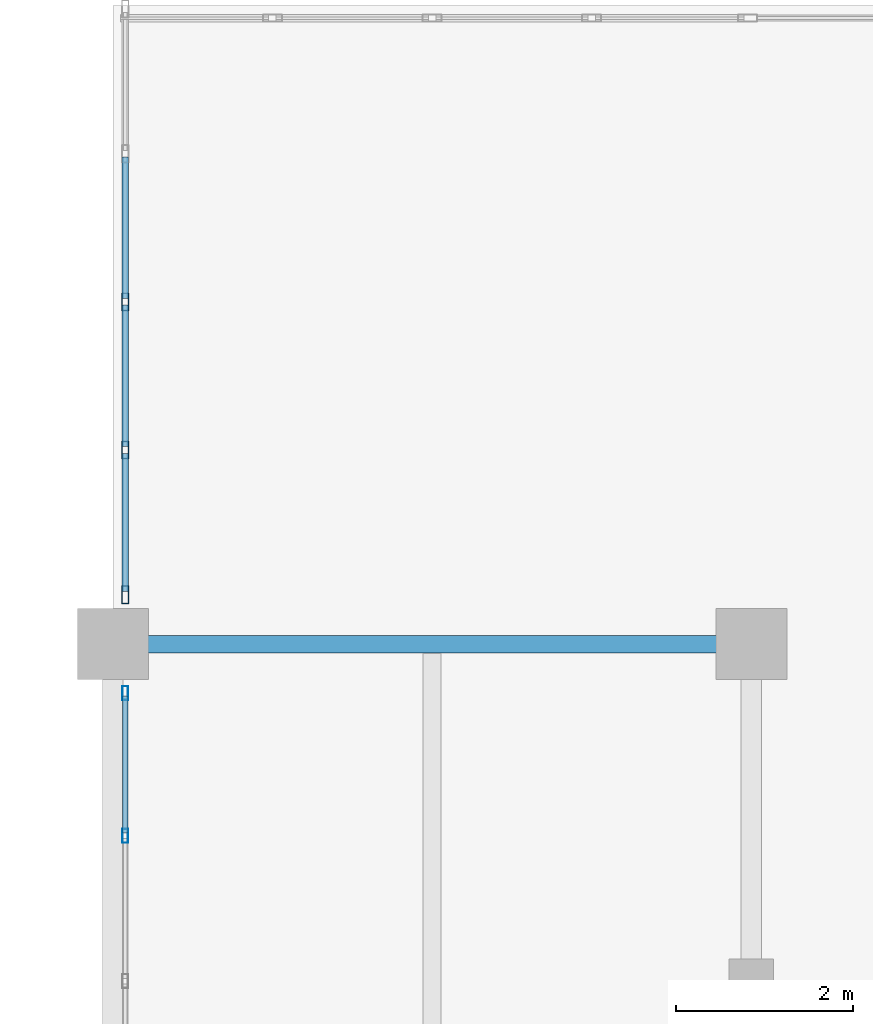
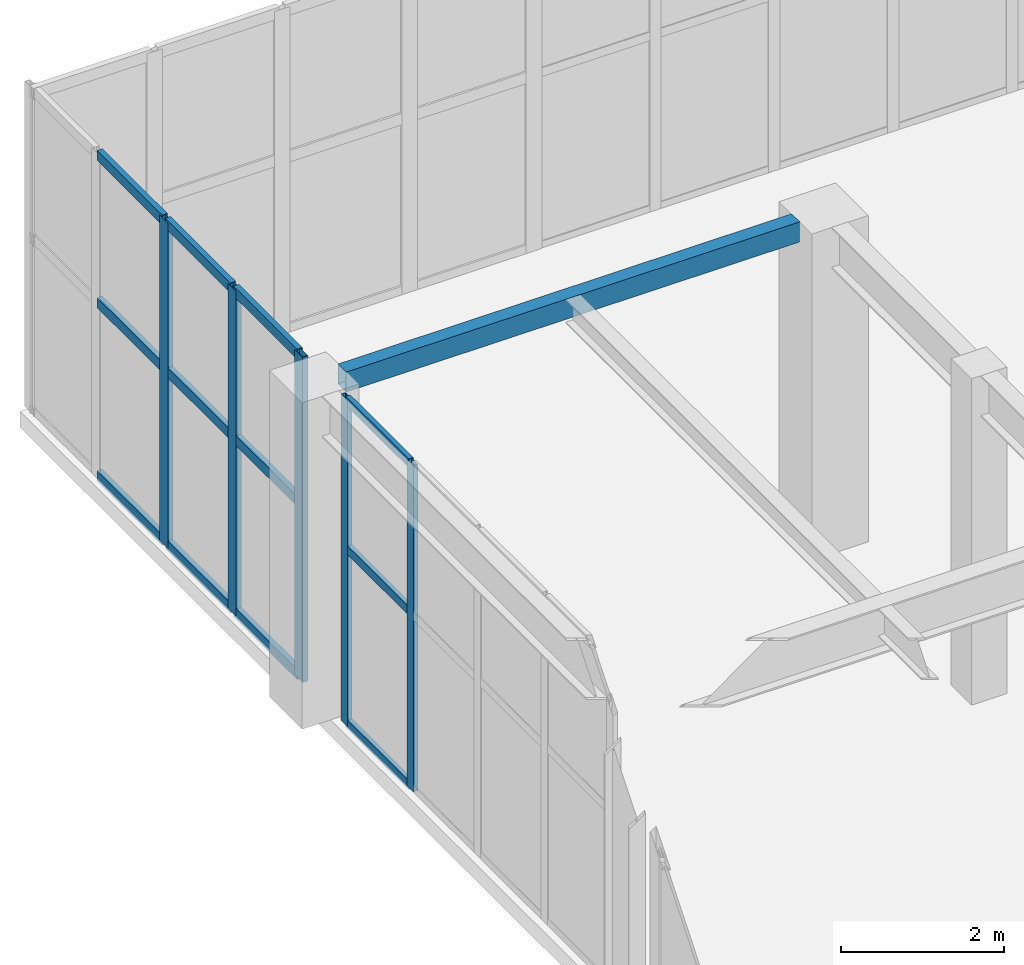
# One storey, part 55 of 128: 17 members, 1 beam, 2 elements without a shape of their own.
"""IFC4 building model written with IfcOpenShell, lengths in metres."""

import ifcopenshell
import ifcopenshell.guid

model = None  # the IFC model being written
_history = None  # IfcOwnerHistory: only IFC2X3 demands one
_inside = {}  # id of a spatial element -> (the spatial element, [elements in it])
_under = {}  # id of a project, library or spatial element -> (it, [spatial elements below it])
_declared = {}  # id of a project -> (the project, [libraries it declares])
_typed = {}  # id of a type object -> (the type object, [elements of that type])
_made_of = {}  # id of a material, layer set ... -> (it, [elements and type objects made of it])


def new_model(schema):
    """Start an empty IFC model of exactly this schema.

    Asked for "IFC4X3", IfcOpenShell would pick the latest addendum, in which some entities
    have other attributes; the version numbers below select the first issue.
    IFC2X3 requires an IfcOwnerHistory on every rooted entity: one is made here for all.
    """
    global model, _history
    if schema == "IFC4X3":
        model = ifcopenshell.file(schema_version=(4, 3, 0, 0))
    else:
        model = ifcopenshell.file(schema=schema)
    _inside.clear()
    _under.clear()
    _declared.clear()
    _typed.clear()
    _made_of.clear()
    _history = None
    if model.schema == "IFC2X3":
        org = make("IfcOrganization", Name="unknown")
        user = make(
            "IfcPersonAndOrganization",
            ThePerson=make("IfcPerson", FamilyName="unknown"),
            TheOrganization=org,
        )
        app = make(
            "IfcApplication",
            ApplicationDeveloper=org,
            Version="unknown",
            ApplicationFullName="unknown",
            ApplicationIdentifier="unknown",
        )
        _history = make(
            "IfcOwnerHistory",
            OwningUser=user,
            OwningApplication=app,
            ChangeAction="ADDED",
            CreationDate=0,
        )
    return model


def make(cls, **values):
    """One entity of the class cls with the attributes given. An attribute that is None is left unset."""
    return model.create_entity(
        cls, **{name: value for name, value in values.items() if value is not None}
    )


def rooted(cls, **values):
    """An entity with a GlobalId (a new one), such as an element, a storey or a relation."""
    return make(cls, GlobalId=ifcopenshell.guid.new(), OwnerHistory=_history, **values)


def si_unit(unit_type, name, prefix=None):
    """IfcSIUnit, for example si_unit("LENGTHUNIT", "METRE", prefix="MILLI")."""
    return make("IfcSIUnit", UnitType=unit_type, Prefix=prefix, Name=name)


def assignment(units):
    """IfcUnitAssignment: the units of a project."""
    return None if units is None else make("IfcUnitAssignment", Units=units)


def point(xyz):
    """IfcCartesianPoint."""
    return None if xyz is None else make("IfcCartesianPoint", Coordinates=xyz)


def direction(xyz):
    """IfcDirection."""
    return None if xyz is None else make("IfcDirection", DirectionRatios=xyz)


def frame(location, z_axis=None, x_axis=None):
    """IfcAxis2Placement3D, a coordinate frame: its origin and axes. An axis left out is left unset."""
    return make(
        "IfcAxis2Placement3D",
        Location=point(location),
        Axis=direction(z_axis),
        RefDirection=direction(x_axis),
    )


def frame_2d(location, x_axis=None):
    """IfcAxis2Placement2D, a coordinate frame in the plane: its origin and x axis."""
    return make(
        "IfcAxis2Placement2D", Location=point(location), RefDirection=direction(x_axis)
    )


def origin():
    """The frame at (0, 0, 0) with its axes left unset."""
    return frame((0.0, 0.0, 0.0))


def origin_2d():
    """The frame at (0, 0) in the plane with its x axis left unset."""
    return frame_2d((0.0, 0.0))


def place(relative_to, where):
    """IfcLocalPlacement: puts the frame where relative to a parent placement (None: the world)."""
    return make(
        "IfcLocalPlacement", PlacementRelTo=relative_to, RelativePlacement=where
    )


def context(
    kind, dimensions, precision=None, world=None, true_north=None, identifier=None
):
    """IfcGeometricRepresentationContext, for example the 3D "Model" context."""
    return make(
        "IfcGeometricRepresentationContext",
        ContextIdentifier=identifier,
        ContextType=kind,
        CoordinateSpaceDimension=dimensions,
        Precision=precision,
        WorldCoordinateSystem=world,
        TrueNorth=true_north,
    )


def subcontext(parent, identifier, kind, view, scale=None):
    """IfcGeometricRepresentationSubContext, for example "Body" below "Model"."""
    return make(
        "IfcGeometricRepresentationSubContext",
        ContextIdentifier=identifier,
        ContextType=kind,
        ParentContext=parent,
        TargetScale=scale,
        TargetView=view,
    )


def project(units=None, contexts=None):
    """IfcProject with its units and contexts."""
    return rooted(
        "IfcProject",
        Name="project",
        RepresentationContexts=contexts,
        UnitsInContext=assignment(units),
    )


def spatial(cls, under=None, at=None, **own):
    """A site, building, storey or space (cls), placed at a placement, below another one or the project."""
    s = rooted(cls, ObjectPlacement=at, **own)
    if under is not None:
        _under.setdefault(under.id(), (under, []))[1].append(s)
    return s


def profile(cls, at=None, kind="AREA", **sizes):
    """A parametric profile (cls). Its sizes go by their IFC names, for example OverallWidth=200.0."""
    return make(cls, ProfileType=kind, Position=at, **sizes)


def hollow_rectangle(**sizes):
    """IfcRectangleHollowProfileDef."""
    return profile("IfcRectangleHollowProfileDef", **sizes)


def extrude(swept, where, along, depth):
    """IfcExtrudedAreaSolid: the profile swept, set in the frame where, extruded along a direction by depth."""
    return make(
        "IfcExtrudedAreaSolid",
        SweptArea=swept,
        Position=where,
        ExtrudedDirection=direction(along),
        Depth=depth,
    )


def shape(context_of_items, identifier, shape_type, items):
    """IfcShapeRepresentation: the items that make up one representation, for example the "Body"."""
    return make(
        "IfcShapeRepresentation",
        ContextOfItems=context_of_items,
        RepresentationIdentifier=identifier,
        RepresentationType=shape_type,
        Items=items,
    )


def material(Name=None, Category=None):
    """IfcMaterial."""
    return make("IfcMaterial", Name=Name, Category=Category)


def layer(
    of_material, thickness, ventilated=None, Name=None, Category=None, Priority=None
):
    """IfcMaterialLayer: one layer of a wall or slab, of a material (None: an air gap)."""
    return make(
        "IfcMaterialLayer",
        Material=of_material,
        LayerThickness=thickness,
        IsVentilated=ventilated,
        Name=Name,
        Category=Category,
        Priority=Priority,
    )


def layer_set(layers, Name=None):
    """IfcMaterialLayerSet."""
    return make("IfcMaterialLayerSet", MaterialLayers=layers, LayerSetName=Name)


def material_profile(
    of_material, cross_section, Name=None, Category=None, Priority=None
):
    """IfcMaterialProfile: a cross section and its material."""
    return make(
        "IfcMaterialProfile",
        Name=Name,
        Material=of_material,
        Profile=cross_section,
        Priority=Priority,
        Category=Category,
    )


def profile_set(profiles, Name=None, composite=None):
    """IfcMaterialProfileSet."""
    return make(
        "IfcMaterialProfileSet",
        Name=Name,
        MaterialProfiles=profiles,
        CompositeProfile=composite,
    )


def made_of(thing, what):
    """Note that an element or type object is made of a material, layer set ...; save() writes the relation."""
    if what is not None:
        _made_of.setdefault(what.id(), (what, []))[1].append(thing)
    return thing


def type_object(cls, material=None, **own):
    """A type object (cls), such as IfcWallType, which elements share."""
    return made_of(rooted(cls, **own), material)


def element(
    cls,
    number,
    at=None,
    inside=None,
    cuts=None,
    type_object=None,
    material=None,
    context=None,
    identifier="Body",
    shape_type=None,
    held_by="IfcProductDefinitionShape",
    body=None,
    shapes=None,
    **own,
):
    """One element of the class cls, such as IfcWall. Its Tag is "e" and its number.

    at: its placement. inside: the storey or other place that contains it. cuts: it is an
    opening in that element (IfcRelVoidsElement). A single representation is given by context,
    identifier, shape_type and body (its items); several are given by shapes. held_by: the class
    of the entity that holds the representations. save() writes the other relations.
    """
    e = rooted(cls, Tag="e%d" % number, ObjectPlacement=at, **own)
    if body is not None:
        shapes = [shape(context, identifier, shape_type, body)]
    if shapes is not None:
        e.Representation = make(held_by, Representations=shapes)
    if inside is not None:
        _inside.setdefault(inside.id(), (inside, []))[1].append(e)
    if cuts is not None:
        rooted(
            "IfcRelVoidsElement", RelatingBuildingElement=cuts, RelatedOpeningElement=e
        )
    if type_object is not None:
        _typed.setdefault(type_object.id(), (type_object, []))[1].append(e)
    return made_of(e, material)


def aggregate(whole, parts):
    """IfcRelAggregates: a whole, such as a stair, and the parts it consists of."""
    return rooted("IfcRelAggregates", RelatingObject=whole, RelatedObjects=parts)


def save(model, path):
    """Write the relations noted so far, then the file.

    IfcRelAggregates (storeys below a building ...), IfcRelContainedInSpatialStructure (elements
    in a storey), IfcRelDefinesByType, IfcRelAssociatesMaterial and IfcRelDeclares: one each for
    every whole, place, type object, material and project.
    """
    for whole, parts in _under.values():
        aggregate(whole, parts)
    for where, things in _inside.values():
        rooted(
            "IfcRelContainedInSpatialStructure",
            RelatedElements=things,
            RelatingStructure=where,
        )
    for kind, things in _typed.values():
        rooted("IfcRelDefinesByType", RelatedObjects=things, RelatingType=kind)
    for what, things in _made_of.values():
        rooted("IfcRelAssociatesMaterial", RelatedObjects=things, RelatingMaterial=what)
    for by, libraries in _declared.values():
        rooted("IfcRelDeclares", RelatingContext=by, RelatedDefinitions=libraries)
    model.write(path)


model = new_model("IFC4")

# Units and contexts
model_context = context("Model", 3, precision=1e-05, world=origin(), true_north=direction((0.0, 1.0)))
body_context = subcontext(model_context, "Body", "Model", "MODEL_VIEW")
ifc_project = project(units=[si_unit("LENGTHUNIT", "METRE"), si_unit("AREAUNIT", "SQUARE_METRE"), si_unit("VOLUMEUNIT", "CUBIC_METRE"), si_unit("PLANEANGLEUNIT", "RADIAN"), si_unit("MASSUNIT", "GRAM", prefix="KILO")], contexts=[model_context])

# Site, building, storey
site_placement = place(None, origin())
site = spatial("IfcSite", under=ifc_project, at=site_placement, CompositionType="ELEMENT")
building_placement = place(site_placement, origin())
building = spatial("IfcBuilding", under=site, at=building_placement, Name="Xicomal Pleat Aquarium", CompositionType="ELEMENT")
storey_placement = place(building_placement, frame((0.0, 0.0, 5.39990234375)))
storey = spatial("IfcBuildingStorey", under=building, at=storey_placement, Name="L02", CompositionType="ELEMENT", Elevation=5.39990234375)

# Beam
ifc_material_1 = material(Name="Structural steel A500 Gr C", Category="steel")
ifc_material_profile_1 = material_profile(ifc_material_1, hollow_rectangle(XDim=0.199951171875, YDim=0.300048828125, WallThickness=0.011962890625, at=origin_2d()), Name="OR 300x200x12")
ifc_profile_set_1 = profile_set([ifc_material_profile_1], Name="Structural steel A500 Gr C")
beam_type = type_object("IfcBeamType", Name="BM-STL-OR300", PredefinedType="SPANDREL", material=ifc_profile_set_1)
beam_placement = place(storey_placement, frame((3.39501953125, 91.199951171875, 4.72509765625), z_axis=(1.0, 0.0, 0.0), x_axis=(0.0, 1.0, 0.0)))
element("IfcBeam", 1, at=beam_placement, inside=storey, type_object=beam_type, Name="L02 framing beam FGX-L02-01-02-N", PredefinedType="SPANDREL", context=body_context, shape_type="SweptSolid", body=[
    extrude(hollow_rectangle(XDim=0.199951171875, YDim=0.300048828125, WallThickness=0.011962890625, at=origin_2d()), origin(), (0.0, 0.0, 1.0), 6.409912109375),
])

# Curtain wall, members
ifc_material_2 = material(Name="Bronze anodized aluminium 6063-T6", Category="aluminium")
ifc_layer_1 = layer(ifc_material_2, 0.159912109375)
ifc_layer_set_1 = layer_set([ifc_layer_1], Name="Bronze anodized aluminium 6063-T6")
curtain_wall_type_1 = type_object("IfcCurtainWallType", Name="CW-SYS-02", PredefinedType="NOTDEFINED", material=ifc_layer_set_1)
curtain_wall_1_placement = place(storey_placement, origin())
curtain_wall_1 = element("IfcCurtainWall", 2, at=curtain_wall_1_placement, inside=storey, type_object=curtain_wall_type_1, Name="L02 unitised curtain wall CW-L02-126", PredefinedType="NOTDEFINED")
ifc_material_3 = material(Name="Bronze anodized aluminium 6063-T6", Category="aluminium")
ifc_material_profile_2 = material_profile(ifc_material_3, hollow_rectangle(XDim=0.06494140625, YDim=0.159912109375, WallThickness=0.00390625, at=origin_2d()), Name="ALU MULL 65x160")
ifc_profile_set_2 = profile_set([ifc_material_profile_2], Name="Bronze anodized aluminium 6063-T6")
member_type_1 = type_object("IfcMemberType", Name="CWM-65x160", PredefinedType="MULLION", material=ifc_profile_set_2)
member_1_placement = place(storey_placement, frame((3.139892578125, 89.0400390625, 0.0), z_axis=(0.0, 0.0, 1.0), x_axis=(-1.0, 0.0, 0.0)))
member_1 = element("IfcMember", 3, at=member_1_placement, type_object=member_type_1, Name="CW-02 mullion 4", PredefinedType="MULLION", context=body_context, shape_type="SweptSolid", body=[
    extrude(hollow_rectangle(XDim=0.06494140625, YDim=0.159912109375, WallThickness=0.00390625, at=origin_2d()), origin(), (0.0, 0.0, 1.0), 4.875),
])
member_2_placement = place(storey_placement, frame((3.139892578125, 90.6474609375, 0.0), z_axis=(0.0, 0.0, 1.0), x_axis=(-1.0, 0.0, 0.0)))
member_2 = element("IfcMember", 4, at=member_2_placement, type_object=member_type_1, Name="CW-02 mullion 5", PredefinedType="MULLION", context=body_context, shape_type="SweptSolid", body=[
    extrude(hollow_rectangle(XDim=0.06494140625, YDim=0.159912109375, WallThickness=0.00390625, at=origin_2d()), origin(), (0.0, 0.0, 1.0), 4.875),
])

ifc_material_4 = material(Name="Bronze anodized aluminium 6063-T6", Category="aluminium")
ifc_layer_2 = layer(ifc_material_4, 0.159912109375)
ifc_layer_set_2 = layer_set([ifc_layer_2], Name="Bronze anodized aluminium 6063-T6")
curtain_wall_type_2 = type_object("IfcCurtainWallType", Name="CW-SYS-07", PredefinedType="NOTDEFINED", material=ifc_layer_set_2)
curtain_wall_2_placement = place(storey_placement, origin())
curtain_wall_2 = element("IfcCurtainWall", 5, at=curtain_wall_2_placement, inside=storey, type_object=curtain_wall_type_2, Name="L02 unitised curtain wall CW-L02-127", PredefinedType="NOTDEFINED")
ifc_material_5 = material(Name="Bronze anodized aluminium 6063-T6", Category="aluminium")
ifc_material_profile_3 = material_profile(ifc_material_5, hollow_rectangle(XDim=0.074951171875, YDim=0.199951171875, WallThickness=0.00439453125, at=origin_2d()), Name="ALU MULL 75x200")
ifc_profile_set_3 = profile_set([ifc_material_profile_3], Name="Bronze anodized aluminium 6063-T6")
member_type_2 = type_object("IfcMemberType", Name="CWM-75x200", PredefinedType="MULLION", material=ifc_profile_set_3)
member_3_placement = place(storey_placement, frame((3.139892578125, 91.757568359375, 0.0), z_axis=(0.0, 0.0, 1.0), x_axis=(-1.0, 0.0, 0.0)))
member_3 = element("IfcMember", 6, at=member_3_placement, type_object=member_type_2, Name="CW-07 mullion 1", PredefinedType="MULLION", context=body_context, shape_type="SweptSolid", body=[
    extrude(hollow_rectangle(XDim=0.074951171875, YDim=0.199951171875, WallThickness=0.00439453125, at=origin_2d()), origin(), (0.0, 0.0, 1.0), 4.860107421875),
])
member_4_placement = place(storey_placement, frame((3.139892578125, 93.389892578125, 0.0), z_axis=(0.0, 0.0, 1.0), x_axis=(-1.0, 0.0, 0.0)))
member_4 = element("IfcMember", 7, at=member_4_placement, type_object=member_type_2, Name="CW-07 mullion 2", PredefinedType="MULLION", context=body_context, shape_type="SweptSolid", body=[
    extrude(hollow_rectangle(XDim=0.074951171875, YDim=0.199951171875, WallThickness=0.00439453125, at=origin_2d()), origin(), (0.0, 0.0, 1.0), 4.860107421875),
])
member_5_placement = place(storey_placement, frame((3.139892578125, 95.06005859375, 0.0), z_axis=(0.0, 0.0, 1.0), x_axis=(-1.0, 0.0, 0.0)))
member_5 = element("IfcMember", 8, at=member_5_placement, type_object=member_type_2, Name="CW-07 mullion 3", PredefinedType="MULLION", context=body_context, shape_type="SweptSolid", body=[
    extrude(hollow_rectangle(XDim=0.074951171875, YDim=0.199951171875, WallThickness=0.00439453125, at=origin_2d()), origin(), (0.0, 0.0, 1.0), 4.860107421875),
])

# Member
ifc_material_6 = material(Name="Bronze anodized aluminium 6063-T6", Category="aluminium")
ifc_material_profile_4 = material_profile(ifc_material_6, hollow_rectangle(XDim=0.06494140625, YDim=0.1298828125, WallThickness=0.00390625, at=origin_2d()), Name="ALU TRAN 65x130")
ifc_profile_set_4 = profile_set([ifc_material_profile_4], Name="Bronze anodized aluminium 6063-T6")
member_type_3 = type_object("IfcMemberType", Name="CWT-65x130", PredefinedType="USERDEFINED", material=ifc_profile_set_4)
member_6_placement = place(storey_placement, frame((3.139892578125, 89.072509765625, 0.03271484375), z_axis=(0.0, 1.0, 0.0), x_axis=(-1.0, 0.0, 0.0)))
member_6 = element("IfcMember", 9, at=member_6_placement, type_object=member_type_3, Name="CW-02 transom 4.1", ObjectType="TRANSOM", PredefinedType="USERDEFINED", context=body_context, shape_type="SweptSolid", body=[
    extrude(hollow_rectangle(XDim=0.06494140625, YDim=0.1298828125, WallThickness=0.00390625, at=origin_2d()), origin(), (0.0, 0.0, 1.0), 1.54248046875),
])

member_7_placement = place(storey_placement, frame((3.139892578125, 89.072509765625, 2.633056640625), z_axis=(0.0, 1.0, 0.0), x_axis=(-1.0, 0.0, 0.0)))
member_7 = element("IfcMember", 10, at=member_7_placement, type_object=member_type_3, Name="CW-02 transom 4.2", ObjectType="TRANSOM", PredefinedType="USERDEFINED", context=body_context, shape_type="SweptSolid", body=[
    extrude(hollow_rectangle(XDim=0.06494140625, YDim=0.1298828125, WallThickness=0.00390625, at=origin_2d()), origin(), (0.0, 0.0, 1.0), 1.54248046875),
])

member_8_placement = place(storey_placement, frame((3.139892578125, 89.072509765625, 4.842529296875), z_axis=(0.0, 1.0, 0.0), x_axis=(-1.0, 0.0, 0.0)))
member_8 = element("IfcMember", 11, at=member_8_placement, type_object=member_type_3, Name="CW-02 transom 4.3", ObjectType="TRANSOM", PredefinedType="USERDEFINED", context=body_context, shape_type="SweptSolid", body=[
    extrude(hollow_rectangle(XDim=0.06494140625, YDim=0.1298828125, WallThickness=0.00390625, at=origin_2d()), origin(), (0.0, 0.0, 1.0), 1.54248046875),
])

aggregate(curtain_wall_1, [member_1, member_2, member_6, member_7, member_8])

ifc_material_7 = material(Name="Bronze anodized aluminium 6063-T6", Category="aluminium")
ifc_material_profile_5 = material_profile(ifc_material_7, hollow_rectangle(XDim=0.074951171875, YDim=0.14990234375, WallThickness=0.00439453125, at=origin_2d()), Name="ALU TRAN 75x150")
ifc_profile_set_5 = profile_set([ifc_material_profile_5], Name="Bronze anodized aluminium 6063-T6")
member_type_4 = type_object("IfcMemberType", Name="CWT-75x150", PredefinedType="USERDEFINED", material=ifc_profile_set_5)
member_9_placement = place(storey_placement, frame((3.139892578125, 91.794921875, 0.03759765625), z_axis=(0.0, 1.0, 0.0), x_axis=(-1.0, 0.0, 0.0)))
member_9 = element("IfcMember", 12, at=member_9_placement, type_object=member_type_4, Name="CW-07 transom 1.1", ObjectType="TRANSOM", PredefinedType="USERDEFINED", context=body_context, shape_type="SweptSolid", body=[
    extrude(hollow_rectangle(XDim=0.074951171875, YDim=0.14990234375, WallThickness=0.00439453125, at=origin_2d()), origin(), (0.0, 0.0, 1.0), 1.5576171875),
])

member_10_placement = place(storey_placement, frame((3.139892578125, 91.794921875, 2.6240234375), z_axis=(0.0, 1.0, 0.0), x_axis=(-1.0, 0.0, 0.0)))
member_10 = element("IfcMember", 13, at=member_10_placement, type_object=member_type_4, Name="CW-07 transom 1.2", ObjectType="TRANSOM", PredefinedType="USERDEFINED", context=body_context, shape_type="SweptSolid", body=[
    extrude(hollow_rectangle(XDim=0.074951171875, YDim=0.14990234375, WallThickness=0.00439453125, at=origin_2d()), origin(), (0.0, 0.0, 1.0), 1.5576171875),
])

member_11_placement = place(storey_placement, frame((3.139892578125, 91.794921875, 4.822509765625), z_axis=(0.0, 1.0, 0.0), x_axis=(-1.0, 0.0, 0.0)))
member_11 = element("IfcMember", 14, at=member_11_placement, type_object=member_type_4, Name="CW-07 transom 1.3", ObjectType="TRANSOM", PredefinedType="USERDEFINED", context=body_context, shape_type="SweptSolid", body=[
    extrude(hollow_rectangle(XDim=0.074951171875, YDim=0.14990234375, WallThickness=0.00439453125, at=origin_2d()), origin(), (0.0, 0.0, 1.0), 1.5576171875),
])

member_12_placement = place(storey_placement, frame((3.139892578125, 93.427490234375, 0.03759765625), z_axis=(0.0, 1.0, 0.0), x_axis=(-1.0, 0.0, 0.0)))
member_12 = element("IfcMember", 15, at=member_12_placement, type_object=member_type_4, Name="CW-07 transom 2.1", ObjectType="TRANSOM", PredefinedType="USERDEFINED", context=body_context, shape_type="SweptSolid", body=[
    extrude(hollow_rectangle(XDim=0.074951171875, YDim=0.14990234375, WallThickness=0.00439453125, at=origin_2d()), origin(), (0.0, 0.0, 1.0), 1.594970703125),
])

member_13_placement = place(storey_placement, frame((3.139892578125, 93.427490234375, 2.6240234375), z_axis=(0.0, 1.0, 0.0), x_axis=(-1.0, 0.0, 0.0)))
member_13 = element("IfcMember", 16, at=member_13_placement, type_object=member_type_4, Name="CW-07 transom 2.2", ObjectType="TRANSOM", PredefinedType="USERDEFINED", context=body_context, shape_type="SweptSolid", body=[
    extrude(hollow_rectangle(XDim=0.074951171875, YDim=0.14990234375, WallThickness=0.00439453125, at=origin_2d()), origin(), (0.0, 0.0, 1.0), 1.594970703125),
])

member_14_placement = place(storey_placement, frame((3.139892578125, 93.427490234375, 4.822509765625), z_axis=(0.0, 1.0, 0.0), x_axis=(-1.0, 0.0, 0.0)))
member_14 = element("IfcMember", 17, at=member_14_placement, type_object=member_type_4, Name="CW-07 transom 2.3", ObjectType="TRANSOM", PredefinedType="USERDEFINED", context=body_context, shape_type="SweptSolid", body=[
    extrude(hollow_rectangle(XDim=0.074951171875, YDim=0.14990234375, WallThickness=0.00439453125, at=origin_2d()), origin(), (0.0, 0.0, 1.0), 1.594970703125),
])

member_15_placement = place(storey_placement, frame((3.139892578125, 95.097412109375, 0.03759765625), z_axis=(0.0, 1.0, 0.0), x_axis=(-1.0, 0.0, 0.0)))
member_15 = element("IfcMember", 18, at=member_15_placement, type_object=member_type_4, Name="CW-07 transom 3.1", ObjectType="TRANSOM", PredefinedType="USERDEFINED", context=body_context, shape_type="SweptSolid", body=[
    extrude(hollow_rectangle(XDim=0.074951171875, YDim=0.14990234375, WallThickness=0.00439453125, at=origin_2d()), origin(), (0.0, 0.0, 1.0), 1.594970703125),
])

member_16_placement = place(storey_placement, frame((3.139892578125, 95.097412109375, 2.6240234375), z_axis=(0.0, 1.0, 0.0), x_axis=(-1.0, 0.0, 0.0)))
member_16 = element("IfcMember", 19, at=member_16_placement, type_object=member_type_4, Name="CW-07 transom 3.2", ObjectType="TRANSOM", PredefinedType="USERDEFINED", context=body_context, shape_type="SweptSolid", body=[
    extrude(hollow_rectangle(XDim=0.074951171875, YDim=0.14990234375, WallThickness=0.00439453125, at=origin_2d()), origin(), (0.0, 0.0, 1.0), 1.594970703125),
])

member_17_placement = place(storey_placement, frame((3.139892578125, 95.097412109375, 4.822509765625), z_axis=(0.0, 1.0, 0.0), x_axis=(-1.0, 0.0, 0.0)))
member_17 = element("IfcMember", 20, at=member_17_placement, type_object=member_type_4, Name="CW-07 transom 3.3", ObjectType="TRANSOM", PredefinedType="USERDEFINED", context=body_context, shape_type="SweptSolid", body=[
    extrude(hollow_rectangle(XDim=0.074951171875, YDim=0.14990234375, WallThickness=0.00439453125, at=origin_2d()), origin(), (0.0, 0.0, 1.0), 1.594970703125),
])

aggregate(curtain_wall_2, [member_3, member_4, member_5, member_9, member_10, member_11, member_12, member_13, member_14, member_15, member_16, member_17])

save(model, "model.ifc")
